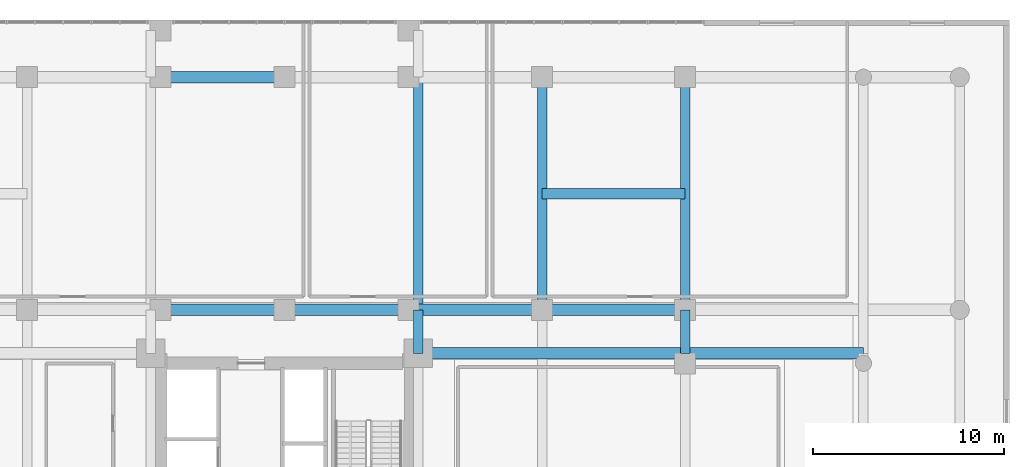
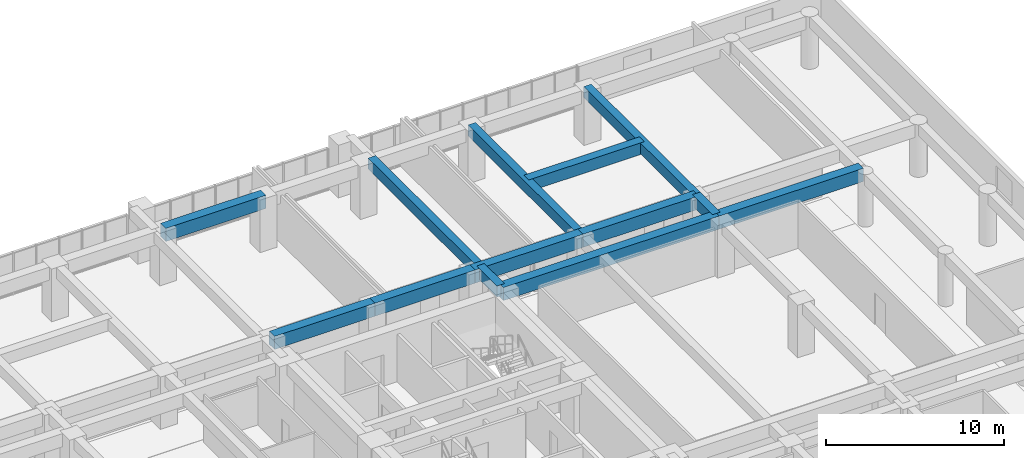
# One storey, part 11 of 30: 13 beams.
"""IFC4 building model written with IfcOpenShell, lengths in metres."""

from ifc_helpers import new_model, si_unit, direction, frame, origin, origin_2d, place, context, subcontext, project, spatial, rectangle, extrude, source, transform, mapped, material, material_profile, profile_set, type_object, element, save


model = new_model("IFC4")

# Units and contexts
model_context = context("Model", 3, precision=1e-05, world=origin(), true_north=direction((0.0, 1.0)))
body_context = subcontext(model_context, "Body", "Model", "MODEL_VIEW")
ifc_project = project(units=[si_unit("LENGTHUNIT", "METRE"), si_unit("AREAUNIT", "SQUARE_METRE"), si_unit("VOLUMEUNIT", "CUBIC_METRE"), si_unit("PLANEANGLEUNIT", "RADIAN"), si_unit("MASSUNIT", "GRAM", prefix="KILO")], contexts=[model_context])

# Site, building, storey
site_placement = place(None, origin())
site = spatial("IfcSite", under=ifc_project, at=site_placement, CompositionType="ELEMENT")
building_placement = place(site_placement, origin())
building = spatial("IfcBuilding", under=site, at=building_placement, Name="Saelheon Loggia Tower", CompositionType="ELEMENT")
storey_placement = place(building_placement, frame((0.0, 0.0, 11.39990234375)))
storey = spatial("IfcBuildingStorey", under=building, at=storey_placement, Name="L03", CompositionType="ELEMENT", Elevation=11.39990234375)

# Beams
ifc_material_1 = material(Name="Concrete C50/60", Category="concrete")
ifc_material_profile_1 = material_profile(ifc_material_1, rectangle(XDim=0.60009765625, YDim=0.89990234375, at=origin_2d()), Name="RC-600x900")
ifc_profile_set_1 = profile_set([ifc_material_profile_1], Name="Concrete C50/60")
beam_type_1 = type_object("IfcBeamType", Name="Beam_MainGirder_RC600x900", PredefinedType="BEAM", material=ifc_profile_set_1)
shared_shape_1 = source(origin(), body_context, "Body", "SweptSolid", [
    extrude(rectangle(XDim=0.60009765625, YDim=0.89990234375, at=origin_2d()), origin(), (0.0, 0.0, 1.0), 7.5),
])
beam_1_placement = place(storey_placement, frame((51.5, 38.800048828125, 3.150146484375), z_axis=(1.0, 0.0, 0.0), x_axis=(0.0, 1.0, 0.0)))
element("IfcBeam", 1, at=beam_1_placement, inside=storey, type_object=beam_type_1, Name="BM-L03-EW-38-7", PredefinedType="BEAM", context=body_context, shape_type="MappedRepresentation", body=[
    mapped(shared_shape_1, transform((0.0, 0.0, 0.0), scale=1.0)),
])
shared_shape_2 = source(origin(), body_context, "Body", "SweptSolid", [
    extrude(rectangle(XDim=0.60009765625, YDim=0.89990234375, at=origin_2d()), origin(), (0.0, 0.0, 1.0), 7.0),
])
beam_2_placement = place(storey_placement, frame((44.5, 38.800048828125, 3.150146484375), z_axis=(1.0, 0.0, 0.0), x_axis=(0.0, 1.0, 0.0)))
element("IfcBeam", 2, at=beam_2_placement, inside=storey, type_object=beam_type_1, Name="BM-L03-EW-38-6", PredefinedType="BEAM", context=body_context, shape_type="MappedRepresentation", body=[
    mapped(shared_shape_2, transform((0.0, 0.0, 0.0), scale=1.0)),
])
shared_shape_3 = source(origin(), body_context, "Body", "SweptSolid", [
    extrude(rectangle(XDim=0.60009765625, YDim=0.89990234375, at=origin_2d()), origin(), (0.0, 0.0, 1.0), 6.5),
])
for number, where, z_axis, x_axis, name in (
    (3, (31.5, 38.800048828125, 3.150146484375), (1.0, 0.0, 0.0), (0.0, 1.0, 0.0), "BM-L03-EW-38-4"),
    (4, (38.0, 38.800048828125, 3.150146484375), (1.0, 0.0, 0.0), (0.0, 1.0, 0.0), "BM-L03-EW-38-5"),
    (5, (31.5, 51.0, 3.150146484375), (1.0, 0.0, 0.0), (0.0, 1.0, 0.0), "BM-L03-EW-51-5"),
):
    element("IfcBeam", number, at=place(storey_placement, frame(where, z_axis=z_axis, x_axis=x_axis)), inside=storey, type_object=beam_type_1, Name=name, PredefinedType="BEAM", context=body_context, shape_type="MappedRepresentation", body=[
        mapped(shared_shape_3, transform((0.0, 0.0, 0.0), scale=1.0)),
    ])
shared_shape_4 = source(origin(), body_context, "Body", "SweptSolid", [
    extrude(rectangle(XDim=0.60009765625, YDim=0.89990234375, at=origin_2d()), origin(), (0.0, 0.0, 1.0), 9.35009765625),
])
beam_3_placement = place(storey_placement, frame((59.0, 36.52001953125, 3.150146484375), z_axis=(1.0, 0.0, 0.0), x_axis=(0.0, 1.0, 0.0)))
element("IfcBeam", 6, at=beam_3_placement, inside=storey, type_object=beam_type_1, Name="BM-L03-CT-36-E1", PredefinedType="BEAM", context=body_context, shape_type="MappedRepresentation", body=[
    mapped(shared_shape_4, transform((0.0, 0.0, 0.0), scale=1.0)),
])
shared_shape_5 = source(origin(), body_context, "Body", "SweptSolid", [
    extrude(rectangle(XDim=0.60009765625, YDim=0.89990234375, at=origin_2d()), origin(), (0.0, 0.0, 1.0), 13.97998046875),
])
beam_4_placement = place(storey_placement, frame((45.02001953125, 36.52001953125, 3.150146484375), z_axis=(1.0, 0.0, 0.0), x_axis=(0.0, 1.0, 0.0)))
element("IfcBeam", 7, at=beam_4_placement, inside=storey, type_object=beam_type_1, Name="BM-L03-CT-36-E2", PredefinedType="BEAM", context=body_context, shape_type="MappedRepresentation", body=[
    mapped(shared_shape_5, transform((0.0, 0.0, 0.0), scale=1.0)),
])
ifc_material_2 = material(Name="Concrete C45/55", Category="concrete")
ifc_material_profile_2 = material_profile(ifc_material_2, rectangle(XDim=0.5, YDim=0.75, at=origin_2d()), Name="RC-500x750")
ifc_profile_set_2 = profile_set([ifc_material_profile_2], Name="Concrete C45/55")
beam_type_2 = type_object("IfcBeamType", Name="Beam_FloorGirder_RC500x750", PredefinedType="BEAM", material=ifc_profile_set_2)
shared_shape_6 = source(origin(), body_context, "Body", "SweptSolid", [
    extrude(rectangle(XDim=0.5, YDim=0.75, at=origin_2d()), origin(), (0.0, 0.0, 1.0), 12.199951171875),
])
for number, where, z_axis, x_axis, name in (
    (8, (45.02001953125, 38.800048828125, 3.22509765625), (0.0, 1.0, 0.0), (-1.0, 0.0, 0.0), "BM-L03-NS-45-6"),
    (9, (51.5, 38.800048828125, 3.22509765625), (0.0, 1.0, 0.0), (-1.0, 0.0, 0.0), "BM-L03-NS-51-3"),
    (10, (59.0, 38.800048828125, 3.22509765625), (0.0, 1.0, 0.0), (-1.0, 0.0, 0.0), "BM-L03-NS-59-6"),
):
    element("IfcBeam", number, at=place(storey_placement, frame(where, z_axis=z_axis, x_axis=x_axis)), inside=storey, type_object=beam_type_2, Name=name, PredefinedType="BEAM", context=body_context, shape_type="MappedRepresentation", body=[
        mapped(shared_shape_6, transform((0.0, 0.0, 0.0), scale=1.0)),
    ])
shared_shape_7 = source(origin(), body_context, "Body", "SweptSolid", [
    extrude(rectangle(XDim=0.5, YDim=0.75, at=origin_2d()), origin(), (0.0, 0.0, 1.0), 2.280029296875),
])
for number, where, z_axis, x_axis, name in (
    (11, (45.02001953125, 36.52001953125, 3.22509765625), (0.0, 1.0, 0.0), (-1.0, 0.0, 0.0), "BM-L03-NS-45-5"),
    (12, (59.0, 36.52001953125, 3.22509765625), (0.0, 1.0, 0.0), (-1.0, 0.0, 0.0), "BM-L03-NS-59-5"),
):
    element("IfcBeam", number, at=place(storey_placement, frame(where, z_axis=z_axis, x_axis=x_axis)), inside=storey, type_object=beam_type_2, Name=name, PredefinedType="BEAM", context=body_context, shape_type="MappedRepresentation", body=[
        mapped(shared_shape_7, transform((0.0, 0.0, 0.0), scale=1.0)),
    ])
ifc_material_profile_3 = material_profile(ifc_material_2, rectangle(XDim=0.550048828125, YDim=0.800048828125, at=origin_2d()), Name="RC-550x800")
ifc_profile_set_3 = profile_set([ifc_material_profile_3], Name="Concrete C45/55")
beam_type_3 = type_object("IfcBeamType", Name="Beam_ClinicGirder_RC550x800", PredefinedType="BEAM", material=ifc_profile_set_3)
shared_shape_8 = source(origin(), body_context, "Body", "SweptSolid", [
    extrude(rectangle(XDim=0.550048828125, YDim=0.800048828125, at=origin_2d()), origin(), (0.0, 0.0, 1.0), 7.5),
])
beam_5_placement = place(storey_placement, frame((51.5, 44.89990234375, 3.2001953125), z_axis=(1.0, 0.0, 0.0), x_axis=(0.0, 1.0, 0.0)))
element("IfcBeam", 13, at=beam_5_placement, inside=storey, type_object=beam_type_3, Name="JST-L03-CL-NE", PredefinedType="BEAM", context=body_context, shape_type="MappedRepresentation", body=[
    mapped(shared_shape_8, transform((0.0, 0.0, 0.0), scale=1.0)),
])

save(model, "model.ifc")
